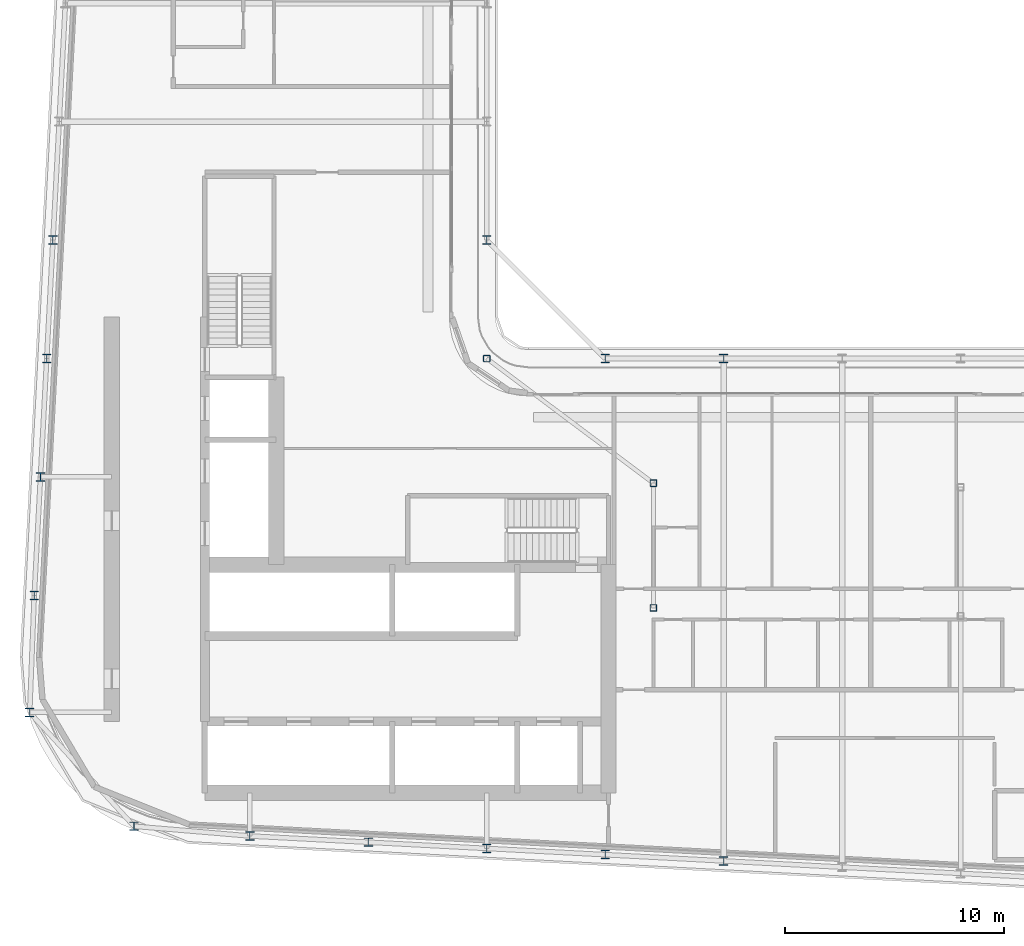
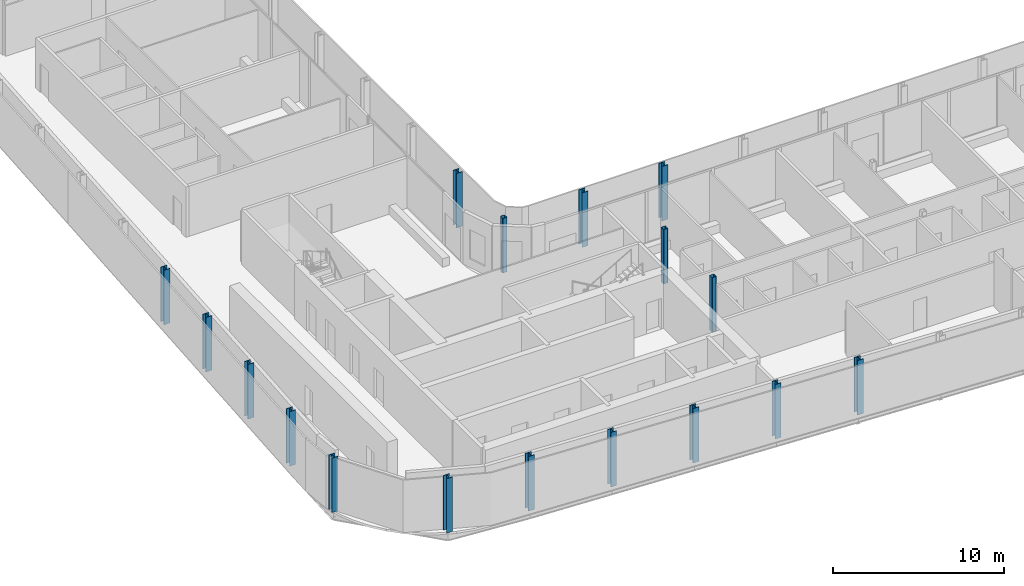
# One storey, part 1 of 21: 17 columns.
"""IFC4 building model written with IfcOpenShell, lengths in metres."""

from ifc_helpers import new_model, si_unit, direction, frame, origin, origin_2d, place, context, subcontext, project, spatial, hollow_rectangle, i_section, extrude, material, material_profile, profile_set, type_object, element, save


model = new_model("IFC4")

# Units and contexts
model_context = context("Model", 3, precision=1e-05, world=origin(), true_north=direction((0.0, 1.0)))
body_context = subcontext(model_context, "Body", "Model", "MODEL_VIEW")
ifc_project = project(units=[si_unit("LENGTHUNIT", "METRE"), si_unit("AREAUNIT", "SQUARE_METRE"), si_unit("VOLUMEUNIT", "CUBIC_METRE"), si_unit("PLANEANGLEUNIT", "RADIAN"), si_unit("MASSUNIT", "GRAM", prefix="KILO")], contexts=[model_context])

# Site, building, storey
site_placement = place(None, origin())
site = spatial("IfcSite", under=ifc_project, at=site_placement, CompositionType="ELEMENT")
building_placement = place(site_placement, origin())
building = spatial("IfcBuilding", under=site, at=building_placement, Name="Kheshtan School and Residences Tower", CompositionType="ELEMENT")
storey_placement = place(building_placement, frame((0.0, 0.0, 235.699951171875)))
storey = spatial("IfcBuildingStorey", under=building, at=storey_placement, Name="L55", CompositionType="ELEMENT", Elevation=235.699951171875)

# Columns
ifc_material_1 = material(Name="Steel ASTM A992 Grade 50", Category="steel")
ifc_material_profile_1 = material_profile(ifc_material_1, i_section(OverallWidth=0.404052734375, OverallDepth=0.406982421875, WebThickness=0.027099609375, FlangeThickness=0.043701171875, FilletRadius=0.01220703125, at=origin_2d()), Name="W360x347")
ifc_profile_set_1 = profile_set([ifc_material_profile_1], Name="Steel ASTM A992 Grade 50")
column_type_1 = type_object("IfcColumnType", Name="Column C4 W360x347 ASTM A992 Grade 50", PredefinedType="COLUMN", material=ifc_profile_set_1)
for number, where, z_axis, x_axis, name in (
    (1, (58.39990234375, 22.695068359375, 0.0), (0.0, 0.0, 1.0), (1.0, 0.0, 0.0), "Column C018"),
    (2, (53.0, 22.97998046875, 0.0), (0.0, 0.0, 1.0), (1.0, 0.0, 0.0), "Column C019"),
    (3, (47.60009765625, 23.263916015625, 0.0), (0.0, 0.0, 1.0), (1.0, 0.0, 0.0), "Column C020"),
    (4, (42.199951171875, 23.548095703125, 0.0), (0.0, 0.0, 1.0), (1.0, 0.0, 0.0), "Column C021"),
    (5, (36.800048828125, 23.83203125, 0.0), (0.0, 0.0, 1.0), (1.0, 0.0, 0.0), "Column C022"),
    (6, (31.51806640625, 24.277099609375, 0.0), (0.0, 0.0, 1.0), (1.0, 0.0, 0.0), "Column C029"),
    (7, (26.760986328125, 29.465087890625, 0.0), (0.0, 0.0, 1.0), (1.0, 0.0, 0.0), "Column C042"),
    (8, (26.968994140625, 34.800048828125, 0.0), (0.0, 0.0, 1.0), (1.0, 0.0, 0.0), "Column C052"),
    (9, (27.2529296875, 40.199951171875, 0.0), (0.0, 0.0, 1.0), (1.0, 0.0, 0.0), "Column C056"),
    (10, (27.537109375, 45.60009765625, 0.0), (0.0, 0.0, 1.0), (1.0, 0.0, 0.0), "Column C059"),
    (11, (53.0, 45.60009765625, 0.0), (0.0, 0.0, 1.0), (1.0, 0.0, 0.0), "Column C061"),
    (12, (58.39990234375, 45.60009765625, 0.0), (0.0, 0.0, 1.0), (1.0, 0.0, 0.0), "Column C062"),
    (13, (27.822021484375, 51.0, 0.0), (0.0, 0.0, 1.0), (1.0, 0.0, 0.0), "Column C078"),
    (14, (47.60009765625, 51.0, 0.0), (0.0, 0.0, 1.0), (1.0, 0.0, 0.0), "Column C079"),
):
    element("IfcColumn", number, at=place(storey_placement, frame(where, z_axis=z_axis, x_axis=x_axis)), inside=storey, type_object=column_type_1, Name=name, PredefinedType="COLUMN", context=body_context, shape_type="SweptSolid", body=[
        extrude(i_section(OverallWidth=0.404052734375, OverallDepth=0.406982421875, WebThickness=0.027099609375, FlangeThickness=0.043701171875, FilletRadius=0.01220703125, at=origin_2d()), origin(), (0.0, 0.0, 1.0), 3.900146484375),
    ])
ifc_material_2 = material(Name="Steel ASTM A500 Grade C", Category="steel")
ifc_material_profile_2 = material_profile(ifc_material_2, hollow_rectangle(XDim=0.304931640625, YDim=0.304931640625, WallThickness=0.015869140625, InnerFilletRadius=0.015869140625, OuterFilletRadius=0.03173828125, at=origin_2d()), Name="HSS 305x305x15.9")
ifc_profile_set_2 = profile_set([ifc_material_profile_2], Name="Steel ASTM A500 Grade C")
column_type_2 = type_object("IfcColumnType", Name="Column IC2 HSS 305x305x15.9 ASTM A500 Grade C", PredefinedType="COLUMN", material=ifc_profile_set_2)
for number, where, z_axis, x_axis, name in (
    (15, (55.199951171875, 34.23193359375, 0.0), (0.0, 0.0, 1.0), (1.0, 0.0, 0.0), "Column C051"),
    (16, (55.199951171875, 39.916015625, 0.0), (0.0, 0.0, 1.0), (1.0, 0.0, 0.0), "Column C055"),
    (17, (47.60009765625, 45.60009765625, 0.0), (0.0, 0.0, 1.0), (1.0, 0.0, 0.0), "Column C060"),
):
    element("IfcColumn", number, at=place(storey_placement, frame(where, z_axis=z_axis, x_axis=x_axis)), inside=storey, type_object=column_type_2, Name=name, PredefinedType="COLUMN", context=body_context, shape_type="SweptSolid", body=[
        extrude(hollow_rectangle(XDim=0.304931640625, YDim=0.304931640625, WallThickness=0.015869140625, InnerFilletRadius=0.015869140625, OuterFilletRadius=0.03173828125, at=origin_2d()), origin(), (0.0, 0.0, 1.0), 3.900146484375),
    ])

save(model, "model.ifc")
